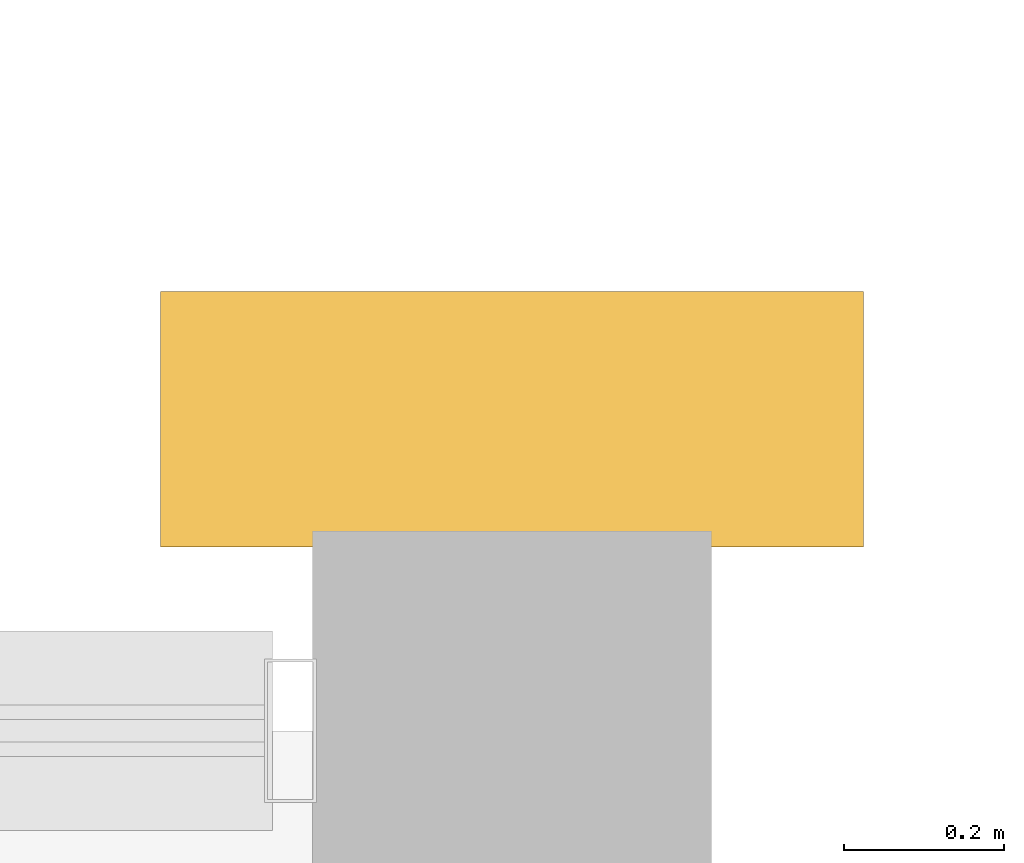
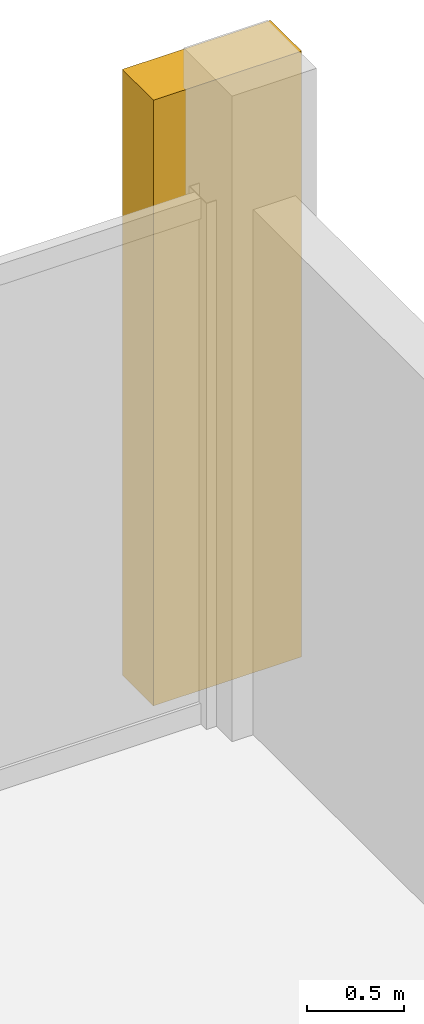
# One storey, part 59 of 59: 1 covering.
"""IFC4 building model written with IfcOpenShell, lengths in metres."""

from ifc_helpers import new_model, si_unit, direction, frame, origin, place, context, subcontext, project, spatial, polyline, outline, extrude, material, layer, layer_set, type_object, element, save


model = new_model("IFC4")

# Units and contexts
model_context = context("Model", 3, precision=1e-05, world=origin(), true_north=direction((0.0, 1.0)))
body_context = subcontext(model_context, "Body", "Model", "MODEL_VIEW")
ifc_project = project(units=[si_unit("LENGTHUNIT", "METRE"), si_unit("AREAUNIT", "SQUARE_METRE"), si_unit("VOLUMEUNIT", "CUBIC_METRE"), si_unit("PLANEANGLEUNIT", "RADIAN"), si_unit("MASSUNIT", "GRAM", prefix="KILO")], contexts=[model_context])

# Site, building, storey
site_placement = place(None, origin())
site = spatial("IfcSite", under=ifc_project, at=site_placement, CompositionType="ELEMENT")
building_placement = place(site_placement, origin())
building = spatial("IfcBuilding", under=site, at=building_placement, Name="Kangsadwip Square Police Headquarters", CompositionType="ELEMENT")
storey_placement = place(building_placement, frame((0.0, 0.0, 21.60009765625)))
storey = spatial("IfcBuildingStorey", under=building, at=storey_placement, Name="L05", CompositionType="ELEMENT", Elevation=21.60009765625)

# Covering
ifc_material = material(Name="Glazed architectural terracotta masonry rainscreen", Category="masonry")
ifc_layer = layer(ifc_material, 0.034912109375)
ifc_layer_set = layer_set([ifc_layer], Name="Glazed architectural terracotta masonry rainscreen")
covering_type = type_object("IfcCoveringType", Name="TerracottaPierCladding", PredefinedType="CLADDING", material=ifc_layer_set)
covering_placement = place(storey_placement, origin())
element("IfcCovering", 1, at=covering_placement, inside=storey, type_object=covering_type, Name="Terracotta Pier Cladding L05-137", PredefinedType="CLADDING", context=body_context, shape_type="SweptSolid", body=[
    extrude(outline(polyline([(165.159912109375, 115.429931640625), (166.0400390625, 115.429931640625), (166.0400390625, 115.75), (165.159912109375, 115.75), (165.159912109375, 115.429931640625)])), origin(), (0.0, 0.0, 1.0), 3.7998046875),
])

save(model, "model.ifc")
